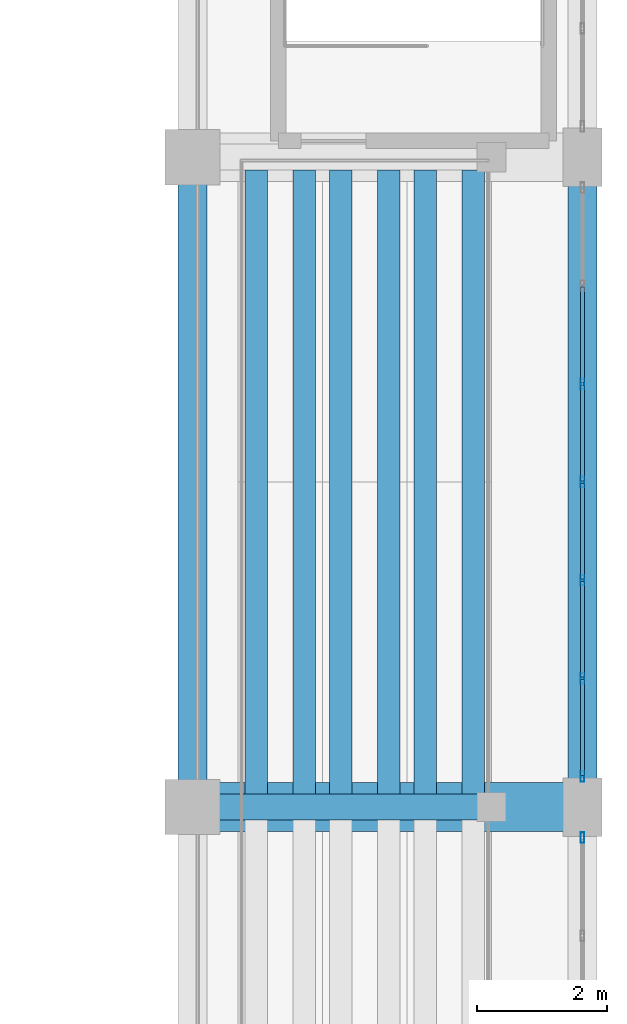
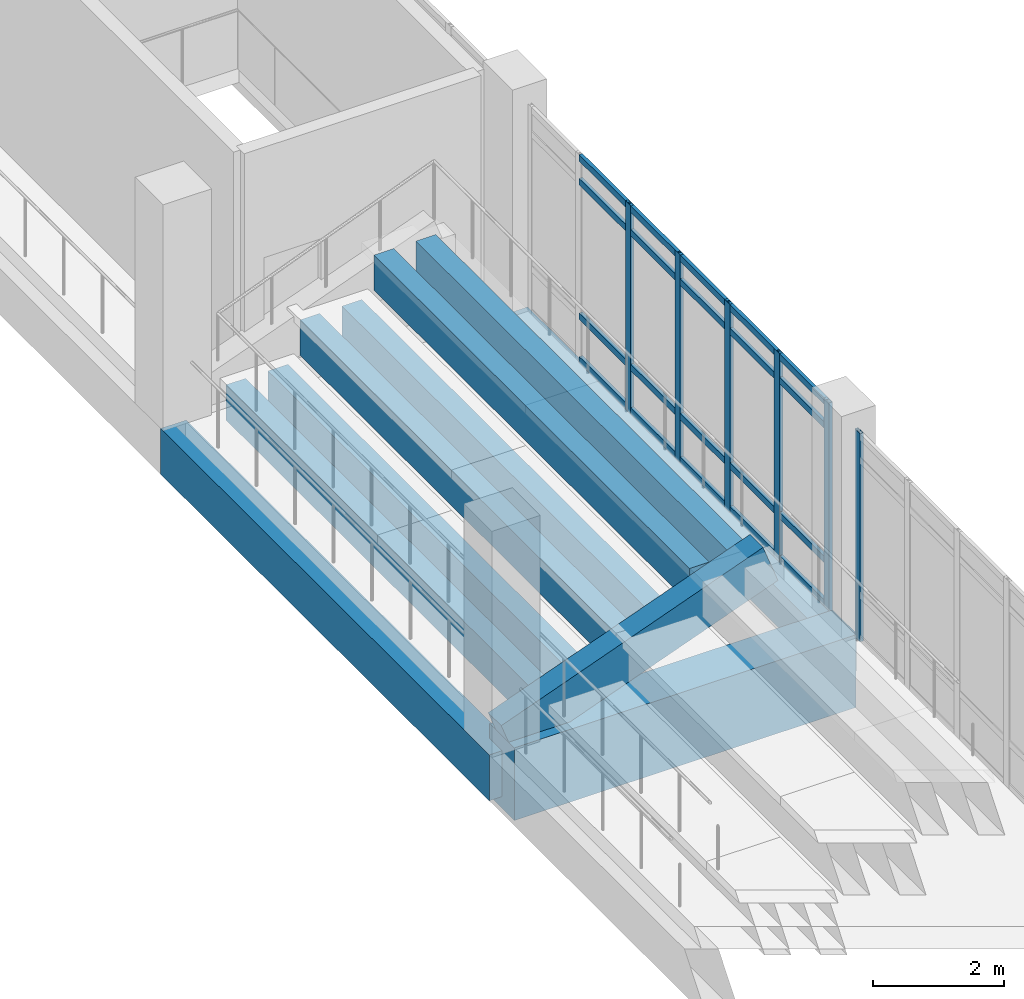
# One storey, part 108 of 161: 26 members, 10 beams, 2 elements without a shape of their own.
"""IFC4 building model written with IfcOpenShell, lengths in metres."""

from ifc_helpers import new_model, si_unit, direction, frame, origin, origin_2d, place, context, subcontext, project, spatial, rectangle, hollow_rectangle, extrude, material, layer, layer_set, material_profile, profile_set, type_object, element, aggregate, save


model = new_model("IFC4")

# Units and contexts
model_context = context("Model", 3, precision=1e-05, world=origin(), true_north=direction((0.0, 1.0)))
body_context = subcontext(model_context, "Body", "Model", "MODEL_VIEW")
ifc_project = project(units=[si_unit("LENGTHUNIT", "METRE"), si_unit("AREAUNIT", "SQUARE_METRE"), si_unit("VOLUMEUNIT", "CUBIC_METRE"), si_unit("PLANEANGLEUNIT", "RADIAN"), si_unit("MASSUNIT", "GRAM", prefix="KILO")], contexts=[model_context])

# Site, building, storey
site_placement = place(None, origin())
site = spatial("IfcSite", under=ifc_project, at=site_placement, CompositionType="ELEMENT")
building_placement = place(site_placement, origin())
building = spatial("IfcBuilding", under=site, at=building_placement, Name="Mersad Railyard Sports Hall", CompositionType="ELEMENT")
storey_placement = place(building_placement, frame((0.0, 0.0, 4.800048828125)))
storey = spatial("IfcBuildingStorey", under=building, at=storey_placement, Name="L01", CompositionType="ELEMENT", Elevation=4.800048828125)

# Curtain wall, member
ifc_material_1 = material(Name="Aluminium 6063-T6", Category="aluminium")
ifc_layer = layer(ifc_material_1, 0.159912109375)
ifc_layer_set = layer_set([ifc_layer], Name="Aluminium 6063-T6")
curtain_wall_type = type_object("IfcCurtainWallType", Name="ARC-CW-CW14", PredefinedType="USERDEFINED", material=ifc_layer_set)
curtain_wall_1_placement = place(storey_placement, origin())
curtain_wall_1 = element("IfcCurtainWall", 1, at=curtain_wall_1_placement, inside=storey, type_object=curtain_wall_type, Name="Curtain wall CW14-0050", ObjectType="CURTAIN WALL", PredefinedType="USERDEFINED")
ifc_material_profile_1 = material_profile(ifc_material_1, hollow_rectangle(XDim=0.06005859375, YDim=0.159912109375, WallThickness=0.00390625, at=origin_2d()), Name="AL MULLION 60x160x4")
ifc_profile_set_1 = profile_set([ifc_material_profile_1], Name="Aluminium 6063-T6")
member_type_1 = type_object("IfcMemberType", Name="ARC-CW-MUL01", PredefinedType="MULLION", material=ifc_profile_set_1)
member_1_placement = place(storey_placement, frame((179.0, 43.030029296875, -0.02001953125), z_axis=(0.0, 0.0, 1.0), x_axis=(1.0, 0.0, 0.0)))
member_1 = element("IfcMember", 2, at=member_1_placement, type_object=member_type_1, Name="CW14 Mullion 1", PredefinedType="MULLION", context=body_context, shape_type="SweptSolid", body=[
    extrude(hollow_rectangle(XDim=0.06005859375, YDim=0.159912109375, WallThickness=0.00390625, at=origin_2d()), origin(), (0.0, 0.0, 1.0), 3.869873046875),
])
aggregate(curtain_wall_1, [member_1])

# Curtain wall, members
curtain_wall_2_placement = place(storey_placement, origin())
curtain_wall_2 = element("IfcCurtainWall", 3, at=curtain_wall_2_placement, inside=storey, type_object=curtain_wall_type, Name="Curtain wall CW14-0052", ObjectType="CURTAIN WALL", PredefinedType="USERDEFINED")
member_2_placement = place(storey_placement, frame((179.0, 50.010009765625, -0.02001953125), z_axis=(0.0, 0.0, 1.0), x_axis=(1.0, 0.0, 0.0)))
member_2 = element("IfcMember", 4, at=member_2_placement, type_object=member_type_1, Name="CW14 Mullion 3", PredefinedType="MULLION", context=body_context, shape_type="SweptSolid", body=[
    extrude(hollow_rectangle(XDim=0.06005859375, YDim=0.159912109375, WallThickness=0.00390625, at=origin_2d()), origin(), (0.0, 0.0, 1.0), 3.869873046875),
])
member_3_placement = place(storey_placement, frame((179.0, 48.5, -0.02001953125), z_axis=(0.0, 0.0, 1.0), x_axis=(1.0, 0.0, 0.0)))
member_3 = element("IfcMember", 5, at=member_3_placement, type_object=member_type_1, Name="CW14 Mullion 4", PredefinedType="MULLION", context=body_context, shape_type="SweptSolid", body=[
    extrude(hollow_rectangle(XDim=0.06005859375, YDim=0.159912109375, WallThickness=0.00390625, at=origin_2d()), origin(), (0.0, 0.0, 1.0), 3.869873046875),
])
member_4_placement = place(storey_placement, frame((179.0, 46.989990234375, -0.02001953125), z_axis=(0.0, 0.0, 1.0), x_axis=(1.0, 0.0, 0.0)))
member_4 = element("IfcMember", 6, at=member_4_placement, type_object=member_type_1, Name="CW14 Mullion 5", PredefinedType="MULLION", context=body_context, shape_type="SweptSolid", body=[
    extrude(hollow_rectangle(XDim=0.06005859375, YDim=0.159912109375, WallThickness=0.00390625, at=origin_2d()), origin(), (0.0, 0.0, 1.0), 3.869873046875),
])
member_5_placement = place(storey_placement, frame((179.0, 45.47998046875, -0.02001953125), z_axis=(0.0, 0.0, 1.0), x_axis=(1.0, 0.0, 0.0)))
member_5 = element("IfcMember", 7, at=member_5_placement, type_object=member_type_1, Name="CW14 Mullion 6", PredefinedType="MULLION", context=body_context, shape_type="SweptSolid", body=[
    extrude(hollow_rectangle(XDim=0.06005859375, YDim=0.159912109375, WallThickness=0.00390625, at=origin_2d()), origin(), (0.0, 0.0, 1.0), 3.869873046875),
])
member_6_placement = place(storey_placement, frame((179.0, 43.969970703125, -0.02001953125), z_axis=(0.0, 0.0, 1.0), x_axis=(1.0, 0.0, 0.0)))
member_6 = element("IfcMember", 8, at=member_6_placement, type_object=member_type_1, Name="CW14 Mullion 7", PredefinedType="MULLION", context=body_context, shape_type="SweptSolid", body=[
    extrude(hollow_rectangle(XDim=0.06005859375, YDim=0.159912109375, WallThickness=0.00390625, at=origin_2d()), origin(), (0.0, 0.0, 1.0), 3.869873046875),
])
ifc_material_profile_2 = material_profile(ifc_material_1, hollow_rectangle(XDim=0.06005859375, YDim=0.1201171875, WallThickness=0.00390625, at=origin_2d()), Name="AL TRANSOM 60x120x4")
ifc_profile_set_2 = profile_set([ifc_material_profile_2], Name="Aluminium 6063-T6")
member_type_2 = type_object("IfcMemberType", Name="ARC-CW-TRN01", PredefinedType="USERDEFINED", material=ifc_profile_set_2)
member_7_placement = place(storey_placement, frame((179.0, 51.5, 0.0400390625), z_axis=(0.0, -1.0, 0.0), x_axis=(1.0, 0.0, 0.0)))
member_7 = element("IfcMember", 9, at=member_7_placement, type_object=member_type_2, Name="CW14 Transom 1-2", ObjectType="TRANSOM", PredefinedType="USERDEFINED", context=body_context, shape_type="SweptSolid", body=[
    extrude(hollow_rectangle(XDim=0.06005859375, YDim=0.1201171875, WallThickness=0.00390625, at=origin_2d()), origin(), (0.0, 0.0, 1.0), 1.469970703125),
])
member_8_placement = place(storey_placement, frame((179.0, 49.989990234375, 0.0400390625), z_axis=(0.0, -1.0, 0.0), x_axis=(1.0, 0.0, 0.0)))
member_8 = element("IfcMember", 10, at=member_8_placement, type_object=member_type_2, Name="CW14 Transom 1-3", ObjectType="TRANSOM", PredefinedType="USERDEFINED", context=body_context, shape_type="SweptSolid", body=[
    extrude(hollow_rectangle(XDim=0.06005859375, YDim=0.1201171875, WallThickness=0.00390625, at=origin_2d()), origin(), (0.0, 0.0, 1.0), 1.469970703125),
])
member_9_placement = place(storey_placement, frame((179.0, 48.47998046875, 0.0400390625), z_axis=(0.0, -1.0, 0.0), x_axis=(1.0, 0.0, 0.0)))
member_9 = element("IfcMember", 11, at=member_9_placement, type_object=member_type_2, Name="CW14 Transom 1-4", ObjectType="TRANSOM", PredefinedType="USERDEFINED", context=body_context, shape_type="SweptSolid", body=[
    extrude(hollow_rectangle(XDim=0.06005859375, YDim=0.1201171875, WallThickness=0.00390625, at=origin_2d()), origin(), (0.0, 0.0, 1.0), 1.469970703125),
])
member_10_placement = place(storey_placement, frame((179.0, 46.969970703125, 0.0400390625), z_axis=(0.0, -1.0, 0.0), x_axis=(1.0, 0.0, 0.0)))
member_10 = element("IfcMember", 12, at=member_10_placement, type_object=member_type_2, Name="CW14 Transom 1-5", ObjectType="TRANSOM", PredefinedType="USERDEFINED", context=body_context, shape_type="SweptSolid", body=[
    extrude(hollow_rectangle(XDim=0.06005859375, YDim=0.1201171875, WallThickness=0.00390625, at=origin_2d()), origin(), (0.0, 0.0, 1.0), 1.469970703125),
])
member_11_placement = place(storey_placement, frame((179.0, 45.4599609375, 0.0400390625), z_axis=(0.0, -1.0, 0.0), x_axis=(1.0, 0.0, 0.0)))
member_11 = element("IfcMember", 13, at=member_11_placement, type_object=member_type_2, Name="CW14 Transom 1-6", ObjectType="TRANSOM", PredefinedType="USERDEFINED", context=body_context, shape_type="SweptSolid", body=[
    extrude(hollow_rectangle(XDim=0.06005859375, YDim=0.1201171875, WallThickness=0.00390625, at=origin_2d()), origin(), (0.0, 0.0, 1.0), 1.469970703125),
])
member_12_placement = place(storey_placement, frame((179.0, 51.5, 0.849853515625), z_axis=(0.0, -1.0, 0.0), x_axis=(1.0, 0.0, 0.0)))
member_12 = element("IfcMember", 14, at=member_12_placement, type_object=member_type_2, Name="CW14 Transom 2-2", ObjectType="TRANSOM", PredefinedType="USERDEFINED", context=body_context, shape_type="SweptSolid", body=[
    extrude(hollow_rectangle(XDim=0.06005859375, YDim=0.1201171875, WallThickness=0.00390625, at=origin_2d()), origin(), (0.0, 0.0, 1.0), 1.469970703125),
])
member_13_placement = place(storey_placement, frame((179.0, 49.989990234375, 0.849853515625), z_axis=(0.0, -1.0, 0.0), x_axis=(1.0, 0.0, 0.0)))
member_13 = element("IfcMember", 15, at=member_13_placement, type_object=member_type_2, Name="CW14 Transom 2-3", ObjectType="TRANSOM", PredefinedType="USERDEFINED", context=body_context, shape_type="SweptSolid", body=[
    extrude(hollow_rectangle(XDim=0.06005859375, YDim=0.1201171875, WallThickness=0.00390625, at=origin_2d()), origin(), (0.0, 0.0, 1.0), 1.469970703125),
])
member_14_placement = place(storey_placement, frame((179.0, 48.47998046875, 0.849853515625), z_axis=(0.0, -1.0, 0.0), x_axis=(1.0, 0.0, 0.0)))
member_14 = element("IfcMember", 16, at=member_14_placement, type_object=member_type_2, Name="CW14 Transom 2-4", ObjectType="TRANSOM", PredefinedType="USERDEFINED", context=body_context, shape_type="SweptSolid", body=[
    extrude(hollow_rectangle(XDim=0.06005859375, YDim=0.1201171875, WallThickness=0.00390625, at=origin_2d()), origin(), (0.0, 0.0, 1.0), 1.469970703125),
])
member_15_placement = place(storey_placement, frame((179.0, 46.969970703125, 0.849853515625), z_axis=(0.0, -1.0, 0.0), x_axis=(1.0, 0.0, 0.0)))
member_15 = element("IfcMember", 17, at=member_15_placement, type_object=member_type_2, Name="CW14 Transom 2-5", ObjectType="TRANSOM", PredefinedType="USERDEFINED", context=body_context, shape_type="SweptSolid", body=[
    extrude(hollow_rectangle(XDim=0.06005859375, YDim=0.1201171875, WallThickness=0.00390625, at=origin_2d()), origin(), (0.0, 0.0, 1.0), 1.469970703125),
])
member_16_placement = place(storey_placement, frame((179.0, 45.4599609375, 0.849853515625), z_axis=(0.0, -1.0, 0.0), x_axis=(1.0, 0.0, 0.0)))
member_16 = element("IfcMember", 18, at=member_16_placement, type_object=member_type_2, Name="CW14 Transom 2-6", ObjectType="TRANSOM", PredefinedType="USERDEFINED", context=body_context, shape_type="SweptSolid", body=[
    extrude(hollow_rectangle(XDim=0.06005859375, YDim=0.1201171875, WallThickness=0.00390625, at=origin_2d()), origin(), (0.0, 0.0, 1.0), 1.469970703125),
])
member_17_placement = place(storey_placement, frame((179.0, 51.5, 3.349853515625), z_axis=(0.0, -1.0, 0.0), x_axis=(1.0, 0.0, 0.0)))
member_17 = element("IfcMember", 19, at=member_17_placement, type_object=member_type_2, Name="CW14 Transom 3-2", ObjectType="TRANSOM", PredefinedType="USERDEFINED", context=body_context, shape_type="SweptSolid", body=[
    extrude(hollow_rectangle(XDim=0.06005859375, YDim=0.1201171875, WallThickness=0.00390625, at=origin_2d()), origin(), (0.0, 0.0, 1.0), 1.469970703125),
])
member_18_placement = place(storey_placement, frame((179.0, 49.989990234375, 3.349853515625), z_axis=(0.0, -1.0, 0.0), x_axis=(1.0, 0.0, 0.0)))
member_18 = element("IfcMember", 20, at=member_18_placement, type_object=member_type_2, Name="CW14 Transom 3-3", ObjectType="TRANSOM", PredefinedType="USERDEFINED", context=body_context, shape_type="SweptSolid", body=[
    extrude(hollow_rectangle(XDim=0.06005859375, YDim=0.1201171875, WallThickness=0.00390625, at=origin_2d()), origin(), (0.0, 0.0, 1.0), 1.469970703125),
])
member_19_placement = place(storey_placement, frame((179.0, 48.47998046875, 3.349853515625), z_axis=(0.0, -1.0, 0.0), x_axis=(1.0, 0.0, 0.0)))
member_19 = element("IfcMember", 21, at=member_19_placement, type_object=member_type_2, Name="CW14 Transom 3-4", ObjectType="TRANSOM", PredefinedType="USERDEFINED", context=body_context, shape_type="SweptSolid", body=[
    extrude(hollow_rectangle(XDim=0.06005859375, YDim=0.1201171875, WallThickness=0.00390625, at=origin_2d()), origin(), (0.0, 0.0, 1.0), 1.469970703125),
])
member_20_placement = place(storey_placement, frame((179.0, 46.969970703125, 3.349853515625), z_axis=(0.0, -1.0, 0.0), x_axis=(1.0, 0.0, 0.0)))
member_20 = element("IfcMember", 22, at=member_20_placement, type_object=member_type_2, Name="CW14 Transom 3-5", ObjectType="TRANSOM", PredefinedType="USERDEFINED", context=body_context, shape_type="SweptSolid", body=[
    extrude(hollow_rectangle(XDim=0.06005859375, YDim=0.1201171875, WallThickness=0.00390625, at=origin_2d()), origin(), (0.0, 0.0, 1.0), 1.469970703125),
])
member_21_placement = place(storey_placement, frame((179.0, 45.4599609375, 3.349853515625), z_axis=(0.0, -1.0, 0.0), x_axis=(1.0, 0.0, 0.0)))
member_21 = element("IfcMember", 23, at=member_21_placement, type_object=member_type_2, Name="CW14 Transom 3-6", ObjectType="TRANSOM", PredefinedType="USERDEFINED", context=body_context, shape_type="SweptSolid", body=[
    extrude(hollow_rectangle(XDim=0.06005859375, YDim=0.1201171875, WallThickness=0.00390625, at=origin_2d()), origin(), (0.0, 0.0, 1.0), 1.469970703125),
])
member_22_placement = place(storey_placement, frame((179.0, 51.5, 3.7900390625), z_axis=(0.0, -1.0, 0.0), x_axis=(1.0, 0.0, 0.0)))
member_22 = element("IfcMember", 24, at=member_22_placement, type_object=member_type_2, Name="CW14 Transom 4-2", ObjectType="TRANSOM", PredefinedType="USERDEFINED", context=body_context, shape_type="SweptSolid", body=[
    extrude(hollow_rectangle(XDim=0.06005859375, YDim=0.1201171875, WallThickness=0.00390625, at=origin_2d()), origin(), (0.0, 0.0, 1.0), 1.469970703125),
])
member_23_placement = place(storey_placement, frame((179.0, 49.989990234375, 3.7900390625), z_axis=(0.0, -1.0, 0.0), x_axis=(1.0, 0.0, 0.0)))
member_23 = element("IfcMember", 25, at=member_23_placement, type_object=member_type_2, Name="CW14 Transom 4-3", ObjectType="TRANSOM", PredefinedType="USERDEFINED", context=body_context, shape_type="SweptSolid", body=[
    extrude(hollow_rectangle(XDim=0.06005859375, YDim=0.1201171875, WallThickness=0.00390625, at=origin_2d()), origin(), (0.0, 0.0, 1.0), 1.469970703125),
])
member_24_placement = place(storey_placement, frame((179.0, 48.47998046875, 3.7900390625), z_axis=(0.0, -1.0, 0.0), x_axis=(1.0, 0.0, 0.0)))
member_24 = element("IfcMember", 26, at=member_24_placement, type_object=member_type_2, Name="CW14 Transom 4-4", ObjectType="TRANSOM", PredefinedType="USERDEFINED", context=body_context, shape_type="SweptSolid", body=[
    extrude(hollow_rectangle(XDim=0.06005859375, YDim=0.1201171875, WallThickness=0.00390625, at=origin_2d()), origin(), (0.0, 0.0, 1.0), 1.469970703125),
])
member_25_placement = place(storey_placement, frame((179.0, 46.969970703125, 3.7900390625), z_axis=(0.0, -1.0, 0.0), x_axis=(1.0, 0.0, 0.0)))
member_25 = element("IfcMember", 27, at=member_25_placement, type_object=member_type_2, Name="CW14 Transom 4-5", ObjectType="TRANSOM", PredefinedType="USERDEFINED", context=body_context, shape_type="SweptSolid", body=[
    extrude(hollow_rectangle(XDim=0.06005859375, YDim=0.1201171875, WallThickness=0.00390625, at=origin_2d()), origin(), (0.0, 0.0, 1.0), 1.469970703125),
])
member_26_placement = place(storey_placement, frame((179.0, 45.4599609375, 3.7900390625), z_axis=(0.0, -1.0, 0.0), x_axis=(1.0, 0.0, 0.0)))
member_26 = element("IfcMember", 28, at=member_26_placement, type_object=member_type_2, Name="CW14 Transom 4-6", ObjectType="TRANSOM", PredefinedType="USERDEFINED", context=body_context, shape_type="SweptSolid", body=[
    extrude(hollow_rectangle(XDim=0.06005859375, YDim=0.1201171875, WallThickness=0.00390625, at=origin_2d()), origin(), (0.0, 0.0, 1.0), 1.469970703125),
])
aggregate(curtain_wall_2, [member_2, member_3, member_4, member_5, member_6, member_7, member_8, member_9, member_10, member_11, member_12, member_13, member_14, member_15, member_16, member_17, member_18, member_19, member_20, member_21, member_22, member_23, member_24, member_25, member_26])

# Beams
ifc_material_2 = material(Name="Concrete C40/50", Category="concrete")
ifc_material_profile_3 = material_profile(ifc_material_2, rectangle(XDim=0.449951171875, YDim=0.85009765625, at=origin_2d()), Name="RC 450x850")
ifc_profile_set_3 = profile_set([ifc_material_profile_3], Name="Concrete C40/50")
beam_type_1 = type_object("IfcBeamType", Name="STR-BM-B02", PredefinedType="BEAM", material=ifc_profile_set_3)
beam_1_placement = place(storey_placement, frame((173.0, 43.5, -0.705078125), z_axis=(0.0, 1.0, 0.0), x_axis=(-1.0, 0.0, 0.0)))
element("IfcBeam", 29, at=beam_1_placement, inside=storey, type_object=beam_type_1, Name="Beam B02-0651", PredefinedType="BEAM", context=body_context, shape_type="SweptSolid", body=[
    extrude(rectangle(XDim=0.449951171875, YDim=0.85009765625, at=origin_2d()), origin(), (0.0, 0.0, 1.0), 10.0),
])
ifc_material_profile_4 = material_profile(ifc_material_2, rectangle(XDim=0.35009765625, YDim=0.64990234375, at=origin_2d()), Name="RC 350x650")
ifc_profile_set_4 = profile_set([ifc_material_profile_4], Name="Concrete C40/50")
beam_type_2 = type_object("IfcBeamType", Name="STR-BM-J01", PredefinedType="JOIST", material=ifc_profile_set_4)
for number, where, z_axis, x_axis, name in (
    (30, (173.97998046875, 43.699951171875, -0.03515625), (0.0, 1.0, 0.0), (-1.0, 0.0, 0.0), "Beam J01-0890"),
    (31, (174.719970703125, 43.699951171875, -0.03515625), (0.0, 1.0, 0.0), (-1.0, 0.0, 0.0), "Beam J01-0892"),
    (32, (175.280029296875, 43.699951171875, 0.71484375), (0.0, 1.0, 0.0), (-1.0, 0.0, 0.0), "Beam J01-0894"),
    (33, (176.02001953125, 43.699951171875, 0.71484375), (0.0, 1.0, 0.0), (-1.0, 0.0, 0.0), "Beam J01-0896"),
    (34, (176.580078125, 43.699951171875, 1.46484375), (0.0, 1.0, 0.0), (-1.0, 0.0, 0.0), "Beam J01-0898"),
    (35, (177.320068359375, 43.699951171875, 1.46484375), (0.0, 1.0, 0.0), (-1.0, 0.0, 0.0), "Beam J01-0900"),
):
    element("IfcBeam", number, at=place(storey_placement, frame(where, z_axis=z_axis, x_axis=x_axis)), inside=storey, type_object=beam_type_2, Name=name, PredefinedType="JOIST", context=body_context, shape_type="SweptSolid", body=[
        extrude(rectangle(XDim=0.35009765625, YDim=0.64990234375, at=origin_2d()), origin(), (0.0, 0.0, 1.0), 9.60009765625),
    ])
ifc_material_profile_5 = material_profile(ifc_material_2, rectangle(XDim=0.39990234375, YDim=0.75, at=origin_2d()), Name="RC 400x750")
ifc_profile_set_5 = profile_set([ifc_material_profile_5], Name="Concrete C40/50")
beam_type_3 = type_object("IfcBeamType", Name="STR-BM-RK02", PredefinedType="USERDEFINED", material=ifc_profile_set_5)
beam_2_placement = place(storey_placement, frame((177.60009765625, 43.5, 1.699951171875), z_axis=(-0.938000128982, 0.0, -0.34663490596), x_axis=(0.0, -1.0, 0.0)))
element("IfcBeam", 36, at=beam_2_placement, inside=storey, type_object=beam_type_3, Name="Beam RK02-0848", ObjectType="RAKER", PredefinedType="USERDEFINED", context=body_context, shape_type="SweptSolid", body=[
    extrude(rectangle(XDim=0.39990234375, YDim=0.75, at=origin_2d()), origin(), (0.0, 0.0, 1.0), 4.904052734375),
])
ifc_material_3 = material(Name="Architectural concrete C40/50", Category="concrete")
ifc_material_profile_6 = material_profile(ifc_material_3, rectangle(XDim=0.449951171875, YDim=0.699951171875, at=origin_2d()), Name="RC 450x700")
ifc_profile_set_6 = profile_set([ifc_material_profile_6], Name="Architectural concrete C40/50")
beam_type_4 = type_object("IfcBeamType", Name="STR-BM-SP01", PredefinedType="SPANDREL", material=ifc_profile_set_6)
beam_3_placement = place(storey_placement, frame((179.0, 43.5, -0.630126953125), z_axis=(0.0, 1.0, 0.0), x_axis=(-1.0, 0.0, 0.0)))
element("IfcBeam", 37, at=beam_3_placement, inside=storey, type_object=beam_type_4, Name="Beam SP01-0658", PredefinedType="SPANDREL", context=body_context, shape_type="SweptSolid", body=[
    extrude(rectangle(XDim=0.449951171875, YDim=0.699951171875, at=origin_2d()), origin(), (0.0, 0.0, 1.0), 10.0),
])
ifc_material_4 = material(Name="Post-tensioned concrete C50/60", Category="concrete")
ifc_material_profile_7 = material_profile(ifc_material_4, rectangle(XDim=0.75, YDim=1.35009765625, at=origin_2d()), Name="PT 750x1350")
ifc_profile_set_7 = profile_set([ifc_material_profile_7], Name="Post-tensioned concrete C50/60")
beam_type_5 = type_object("IfcBeamType", Name="STR-BM-TG02", PredefinedType="USERDEFINED", material=ifc_profile_set_7)
beam_4_placement = place(storey_placement, frame((173.0, 43.5, -0.675048828125), z_axis=(1.0, 0.0, 0.0), x_axis=(0.0, 1.0, 0.0)))
element("IfcBeam", 38, at=beam_4_placement, inside=storey, type_object=beam_type_5, Name="Transfer girder TG02-0624", ObjectType="GIRDER", PredefinedType="USERDEFINED", context=body_context, shape_type="SweptSolid", body=[
    extrude(rectangle(XDim=0.75, YDim=1.35009765625, at=origin_2d()), origin(), (0.0, 0.0, 1.0), 6.0),
])

save(model, "model.ifc")
